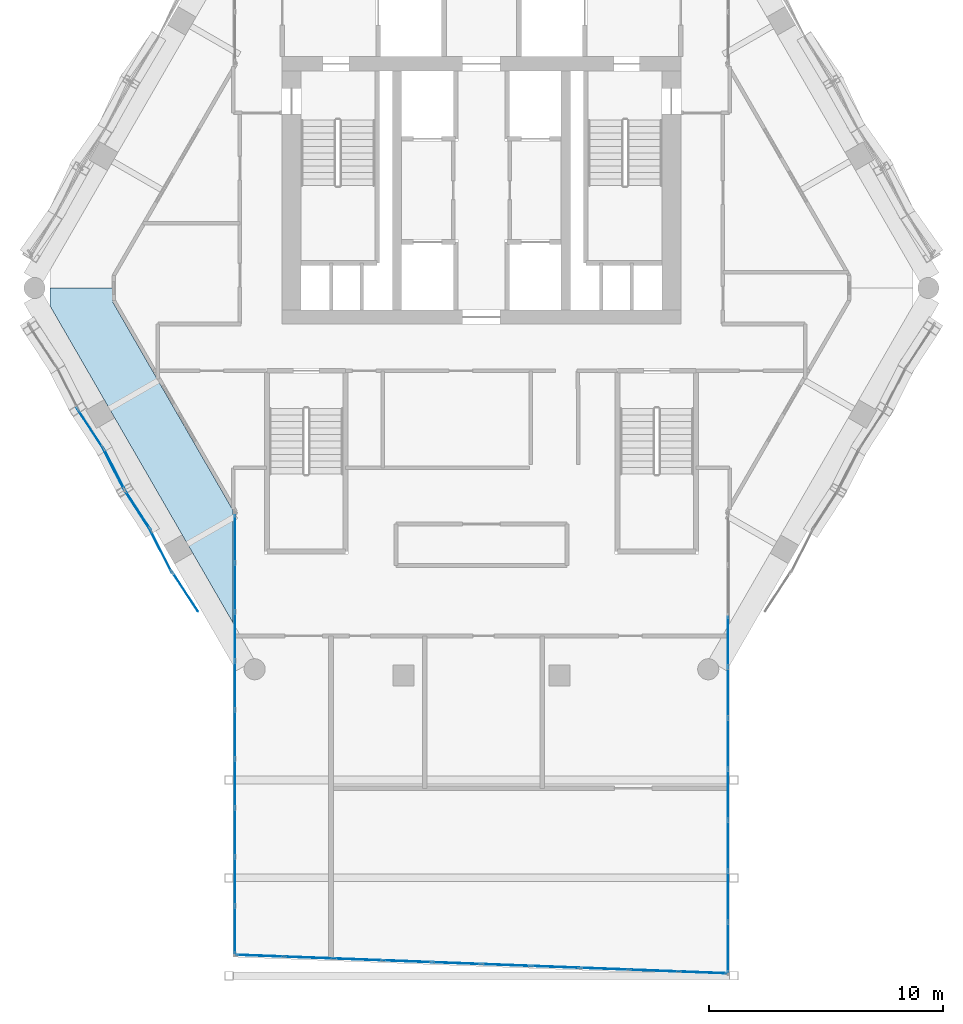
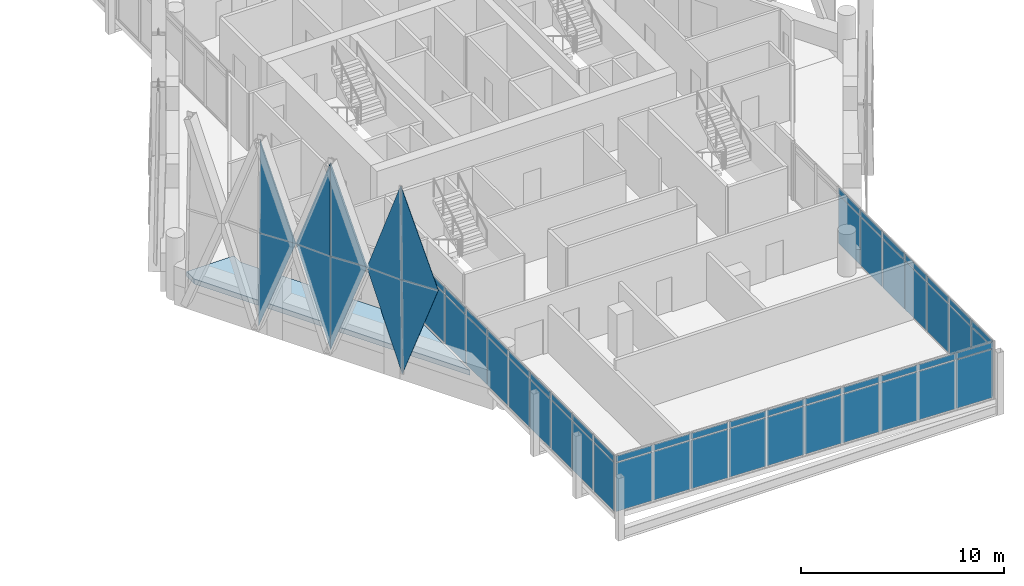
# One storey, part 25 of 37: 62 plates, 1 slab, 7 elements without a shape of their own.
"""IFC4 building model written with IfcOpenShell, lengths in metres."""

from ifc_helpers import new_model, si_unit, direction, frame, origin, origin_2d, place, context, subcontext, project, spatial, polyline, rectangle, outline, extrude, material, layer, layer_set, type_object, element, aggregate, save


model = new_model("IFC4")

# Units and contexts
model_context = context("Model", 3, precision=1e-05, world=origin(), true_north=direction((0.0, 1.0)))
body_context = subcontext(model_context, "Body", "Model", "MODEL_VIEW")
ifc_project = project(units=[si_unit("LENGTHUNIT", "METRE"), si_unit("AREAUNIT", "SQUARE_METRE"), si_unit("VOLUMEUNIT", "CUBIC_METRE"), si_unit("PLANEANGLEUNIT", "RADIAN"), si_unit("MASSUNIT", "GRAM", prefix="KILO")], contexts=[model_context])

# Site, building, storey
site_placement = place(None, origin())
site = spatial("IfcSite", under=ifc_project, at=site_placement, CompositionType="ELEMENT")
building_placement = place(site_placement, origin())
building = spatial("IfcBuilding", under=site, at=building_placement, Name="Ostrander Bayou Hotel Tower", CompositionType="ELEMENT")
storey_placement = place(building_placement, frame((0.0, 0.0, 225.75)))
storey = spatial("IfcBuildingStorey", under=building, at=storey_placement, Name="L56", CompositionType="ELEMENT", Elevation=225.75)

# Curtain wall, plates
ifc_material_1 = material(Name="Aluminium and clear glass", Category="aluminium")
curtain_wall_type_1 = type_object("IfcCurtainWallType", Name="CW-BAR glazed wall", PredefinedType="NOTDEFINED", material=ifc_material_1)
curtain_wall_1_placement = place(storey_placement, origin())
curtain_wall_1 = element("IfcCurtainWall", 1, at=curtain_wall_1_placement, inside=storey, type_object=curtain_wall_type_1, Name="CW-BAR L56:SB5S:E", PredefinedType="NOTDEFINED")
ifc_material_2 = material(Name="Clear laminated glass", Category="glass")
ifc_layer_1 = layer(ifc_material_2, 0.028076171875)
ifc_layer_set_1 = layer_set([ifc_layer_1], Name="CW-BR glazing panel 28 mm")
plate_type_1 = type_object("IfcPlateType", Name="CW-BR glazing panel 28 mm", PredefinedType="CURTAIN_PANEL", material=ifc_layer_set_1)
plate_1_placement = place(storey_placement, frame((-10.51220703125, -10.852294921875, 0.06005859375), z_axis=(0.0, 0.0, 1.0), x_axis=(0.0, -1.0, 0.0)))
plate_1 = element("IfcPlate", 2, at=plate_1_placement, type_object=plate_type_1, Name="CW-BAR panel 1.1", PredefinedType="CURTAIN_PANEL", context=body_context, shape_type="SweptSolid", body=[
    extrude(rectangle(XDim=2.0, YDim=0.028076171875, at=origin_2d()), origin(), (0.0, 0.0, 1.0), 2.909912109375),
])
plate_2_placement = place(storey_placement, frame((-10.51220703125, -10.852294921875, 3.02978515625), z_axis=(0.0, 0.0, 1.0), x_axis=(0.0, -1.0, 0.0)))
plate_2 = element("IfcPlate", 3, at=plate_2_placement, type_object=plate_type_1, Name="CW-BAR panel 1.2", PredefinedType="CURTAIN_PANEL", context=body_context, shape_type="SweptSolid", body=[
    extrude(rectangle(XDim=2.0, YDim=0.028076171875, at=origin_2d()), origin(), (0.0, 0.0, 1.0), 0.360107421875),
])
plate_3_placement = place(storey_placement, frame((-10.51220703125, -12.927490234375, 0.06005859375), z_axis=(0.0, 0.0, 1.0), x_axis=(0.0, -1.0, 0.0)))
plate_3 = element("IfcPlate", 4, at=plate_3_placement, type_object=plate_type_1, Name="CW-BAR panel 2.1", PredefinedType="CURTAIN_PANEL", context=body_context, shape_type="SweptSolid", body=[
    extrude(rectangle(XDim=2.030029296875, YDim=0.028076171875, at=origin_2d()), origin(), (0.0, 0.0, 1.0), 2.909912109375),
])
plate_4_placement = place(storey_placement, frame((-10.51220703125, -12.927490234375, 3.02978515625), z_axis=(0.0, 0.0, 1.0), x_axis=(0.0, -1.0, 0.0)))
plate_4 = element("IfcPlate", 5, at=plate_4_placement, type_object=plate_type_1, Name="CW-BAR panel 2.2", PredefinedType="CURTAIN_PANEL", context=body_context, shape_type="SweptSolid", body=[
    extrude(rectangle(XDim=2.030029296875, YDim=0.028076171875, at=origin_2d()), origin(), (0.0, 0.0, 1.0), 0.360107421875),
])
plate_5_placement = place(storey_placement, frame((-10.51220703125, -15.017333984375, 0.06005859375), z_axis=(0.0, 0.0, 1.0), x_axis=(0.0, -1.0, 0.0)))
plate_5 = element("IfcPlate", 6, at=plate_5_placement, type_object=plate_type_1, Name="CW-BAR panel 3.1", PredefinedType="CURTAIN_PANEL", context=body_context, shape_type="SweptSolid", body=[
    extrude(rectangle(XDim=2.030029296875, YDim=0.028076171875, at=origin_2d()), origin(), (0.0, 0.0, 1.0), 2.909912109375),
])
plate_6_placement = place(storey_placement, frame((-10.51220703125, -15.017333984375, 3.02978515625), z_axis=(0.0, 0.0, 1.0), x_axis=(0.0, -1.0, 0.0)))
plate_6 = element("IfcPlate", 7, at=plate_6_placement, type_object=plate_type_1, Name="CW-BAR panel 3.2", PredefinedType="CURTAIN_PANEL", context=body_context, shape_type="SweptSolid", body=[
    extrude(rectangle(XDim=2.030029296875, YDim=0.028076171875, at=origin_2d()), origin(), (0.0, 0.0, 1.0), 0.360107421875),
])
plate_7_placement = place(storey_placement, frame((-10.51220703125, -17.107421875, 0.06005859375), z_axis=(0.0, 0.0, 1.0), x_axis=(0.0, -1.0, 0.0)))
plate_7 = element("IfcPlate", 8, at=plate_7_placement, type_object=plate_type_1, Name="CW-BAR panel 4.1", PredefinedType="CURTAIN_PANEL", context=body_context, shape_type="SweptSolid", body=[
    extrude(rectangle(XDim=2.030029296875, YDim=0.028076171875, at=origin_2d()), origin(), (0.0, 0.0, 1.0), 2.909912109375),
])
plate_8_placement = place(storey_placement, frame((-10.51220703125, -17.107421875, 3.02978515625), z_axis=(0.0, 0.0, 1.0), x_axis=(0.0, -1.0, 0.0)))
plate_8 = element("IfcPlate", 9, at=plate_8_placement, type_object=plate_type_1, Name="CW-BAR panel 4.2", PredefinedType="CURTAIN_PANEL", context=body_context, shape_type="SweptSolid", body=[
    extrude(rectangle(XDim=2.030029296875, YDim=0.028076171875, at=origin_2d()), origin(), (0.0, 0.0, 1.0), 0.360107421875),
])
plate_9_placement = place(storey_placement, frame((-10.51220703125, -19.197509765625, 0.06005859375), z_axis=(0.0, 0.0, 1.0), x_axis=(0.0, -1.0, 0.0)))
plate_9 = element("IfcPlate", 10, at=plate_9_placement, type_object=plate_type_1, Name="CW-BAR panel 5.1", PredefinedType="CURTAIN_PANEL", context=body_context, shape_type="SweptSolid", body=[
    extrude(rectangle(XDim=2.030029296875, YDim=0.028076171875, at=origin_2d()), origin(), (0.0, 0.0, 1.0), 2.909912109375),
])
plate_10_placement = place(storey_placement, frame((-10.51220703125, -19.197509765625, 3.02978515625), z_axis=(0.0, 0.0, 1.0), x_axis=(0.0, -1.0, 0.0)))
plate_10 = element("IfcPlate", 11, at=plate_10_placement, type_object=plate_type_1, Name="CW-BAR panel 5.2", PredefinedType="CURTAIN_PANEL", context=body_context, shape_type="SweptSolid", body=[
    extrude(rectangle(XDim=2.030029296875, YDim=0.028076171875, at=origin_2d()), origin(), (0.0, 0.0, 1.0), 0.360107421875),
])
plate_11_placement = place(storey_placement, frame((-10.51220703125, -21.28759765625, 0.06005859375), z_axis=(0.0, 0.0, 1.0), x_axis=(0.0, -1.0, 0.0)))
plate_11 = element("IfcPlate", 12, at=plate_11_placement, type_object=plate_type_1, Name="CW-BAR panel 6.1", PredefinedType="CURTAIN_PANEL", context=body_context, shape_type="SweptSolid", body=[
    extrude(rectangle(XDim=2.030029296875, YDim=0.028076171875, at=origin_2d()), origin(), (0.0, 0.0, 1.0), 2.909912109375),
])
plate_12_placement = place(storey_placement, frame((-10.51220703125, -21.28759765625, 3.02978515625), z_axis=(0.0, 0.0, 1.0), x_axis=(0.0, -1.0, 0.0)))
plate_12 = element("IfcPlate", 13, at=plate_12_placement, type_object=plate_type_1, Name="CW-BAR panel 6.2", PredefinedType="CURTAIN_PANEL", context=body_context, shape_type="SweptSolid", body=[
    extrude(rectangle(XDim=2.030029296875, YDim=0.028076171875, at=origin_2d()), origin(), (0.0, 0.0, 1.0), 0.360107421875),
])
plate_13_placement = place(storey_placement, frame((-10.51220703125, -23.377685546875, 0.06005859375), z_axis=(0.0, 0.0, 1.0), x_axis=(0.0, -1.0, 0.0)))
plate_13 = element("IfcPlate", 14, at=plate_13_placement, type_object=plate_type_1, Name="CW-BAR panel 7.1", PredefinedType="CURTAIN_PANEL", context=body_context, shape_type="SweptSolid", body=[
    extrude(rectangle(XDim=2.030029296875, YDim=0.028076171875, at=origin_2d()), origin(), (0.0, 0.0, 1.0), 2.909912109375),
])
plate_14_placement = place(storey_placement, frame((-10.51220703125, -23.377685546875, 3.02978515625), z_axis=(0.0, 0.0, 1.0), x_axis=(0.0, -1.0, 0.0)))
plate_14 = element("IfcPlate", 15, at=plate_14_placement, type_object=plate_type_1, Name="CW-BAR panel 7.2", PredefinedType="CURTAIN_PANEL", context=body_context, shape_type="SweptSolid", body=[
    extrude(rectangle(XDim=2.030029296875, YDim=0.028076171875, at=origin_2d()), origin(), (0.0, 0.0, 1.0), 0.360107421875),
])
plate_15_placement = place(storey_placement, frame((-10.51220703125, -25.4677734375, 0.06005859375), z_axis=(0.0, 0.0, 1.0), x_axis=(0.0, -1.0, 0.0)))
plate_15 = element("IfcPlate", 16, at=plate_15_placement, type_object=plate_type_1, Name="CW-BAR panel 8.1", PredefinedType="CURTAIN_PANEL", context=body_context, shape_type="SweptSolid", body=[
    extrude(rectangle(XDim=2.030029296875, YDim=0.028076171875, at=origin_2d()), origin(), (0.0, 0.0, 1.0), 2.909912109375),
])
plate_16_placement = place(storey_placement, frame((-10.51220703125, -25.4677734375, 3.02978515625), z_axis=(0.0, 0.0, 1.0), x_axis=(0.0, -1.0, 0.0)))
plate_16 = element("IfcPlate", 17, at=plate_16_placement, type_object=plate_type_1, Name="CW-BAR panel 8.2", PredefinedType="CURTAIN_PANEL", context=body_context, shape_type="SweptSolid", body=[
    extrude(rectangle(XDim=2.030029296875, YDim=0.028076171875, at=origin_2d()), origin(), (0.0, 0.0, 1.0), 0.360107421875),
])
plate_17_placement = place(storey_placement, frame((-10.51220703125, -27.542724609375, 0.06005859375), z_axis=(0.0, 0.0, 1.0), x_axis=(0.0, -1.0, 0.0)))
plate_17 = element("IfcPlate", 18, at=plate_17_placement, type_object=plate_type_1, Name="CW-BAR panel 9.1", PredefinedType="CURTAIN_PANEL", context=body_context, shape_type="SweptSolid", body=[
    extrude(rectangle(XDim=2.0, YDim=0.028076171875, at=origin_2d()), origin(), (0.0, 0.0, 1.0), 2.909912109375),
])
plate_18_placement = place(storey_placement, frame((-10.51220703125, -27.542724609375, 3.02978515625), z_axis=(0.0, 0.0, 1.0), x_axis=(0.0, -1.0, 0.0)))
plate_18 = element("IfcPlate", 19, at=plate_18_placement, type_object=plate_type_1, Name="CW-BAR panel 9.2", PredefinedType="CURTAIN_PANEL", context=body_context, shape_type="SweptSolid", body=[
    extrude(rectangle(XDim=2.0, YDim=0.028076171875, at=origin_2d()), origin(), (0.0, 0.0, 1.0), 0.360107421875),
])
aggregate(curtain_wall_1, [plate_1, plate_2, plate_3, plate_4, plate_5, plate_6, plate_7, plate_8, plate_9, plate_10, plate_11, plate_12, plate_13, plate_14, plate_15, plate_16, plate_17, plate_18])

curtain_wall_2_placement = place(storey_placement, origin())
curtain_wall_2 = element("IfcCurtainWall", 20, at=curtain_wall_2_placement, inside=storey, type_object=curtain_wall_type_1, Name="CW-BAR L56:SB5S:T", PredefinedType="NOTDEFINED")
plate_19_placement = place(storey_placement, frame((-9.446044921875, -28.64306640625, 0.06005859375), z_axis=(0.0, 0.0, 1.0), x_axis=(0.99928692283, -0.037757725854, 0.0)))
plate_19 = element("IfcPlate", 21, at=plate_19_placement, type_object=plate_type_1, Name="CW-BAR panel 1.1", PredefinedType="CURTAIN_PANEL", context=body_context, shape_type="SweptSolid", body=[
    extrude(rectangle(XDim=2.013916015625, YDim=0.028076171875, at=origin_2d()), origin(), (0.0, 0.0, 1.0), 2.909912109375),
])
plate_20_placement = place(storey_placement, frame((-9.446044921875, -28.64306640625, 3.02978515625), z_axis=(0.0, 0.0, 1.0), x_axis=(0.99928692283, -0.037757725854, 0.0)))
plate_20 = element("IfcPlate", 22, at=plate_20_placement, type_object=plate_type_1, Name="CW-BAR panel 1.2", PredefinedType="CURTAIN_PANEL", context=body_context, shape_type="SweptSolid", body=[
    extrude(rectangle(XDim=2.013916015625, YDim=0.028076171875, at=origin_2d()), origin(), (0.0, 0.0, 1.0), 0.360107421875),
])
plate_21_placement = place(storey_placement, frame((-7.358642578125, -28.721923828125, 0.06005859375), z_axis=(0.0, 0.0, 1.0), x_axis=(0.99928692283, -0.037757725854, 0.0)))
plate_21 = element("IfcPlate", 23, at=plate_21_placement, type_object=plate_type_1, Name="CW-BAR panel 2.1", PredefinedType="CURTAIN_PANEL", context=body_context, shape_type="SweptSolid", body=[
    extrude(rectangle(XDim=2.0439453125, YDim=0.028076171875, at=origin_2d()), origin(), (0.0, 0.0, 1.0), 2.909912109375),
])
plate_22_placement = place(storey_placement, frame((-7.358642578125, -28.721923828125, 3.02978515625), z_axis=(0.0, 0.0, 1.0), x_axis=(0.99928692283, -0.037757725854, 0.0)))
plate_22 = element("IfcPlate", 24, at=plate_22_placement, type_object=plate_type_1, Name="CW-BAR panel 2.2", PredefinedType="CURTAIN_PANEL", context=body_context, shape_type="SweptSolid", body=[
    extrude(rectangle(XDim=2.0439453125, YDim=0.028076171875, at=origin_2d()), origin(), (0.0, 0.0, 1.0), 0.360107421875),
])
plate_23_placement = place(storey_placement, frame((-5.256103515625, -28.801513671875, 0.06005859375), z_axis=(0.0, 0.0, 1.0), x_axis=(0.99928692283, -0.037757725854, 0.0)))
plate_23 = element("IfcPlate", 25, at=plate_23_placement, type_object=plate_type_1, Name="CW-BAR panel 3.1", PredefinedType="CURTAIN_PANEL", context=body_context, shape_type="SweptSolid", body=[
    extrude(rectangle(XDim=2.0439453125, YDim=0.028076171875, at=origin_2d()), origin(), (0.0, 0.0, 1.0), 2.909912109375),
])
plate_24_placement = place(storey_placement, frame((-5.256103515625, -28.801513671875, 3.02978515625), z_axis=(0.0, 0.0, 1.0), x_axis=(0.99928692283, -0.037757725854, 0.0)))
plate_24 = element("IfcPlate", 26, at=plate_24_placement, type_object=plate_type_1, Name="CW-BAR panel 3.2", PredefinedType="CURTAIN_PANEL", context=body_context, shape_type="SweptSolid", body=[
    extrude(rectangle(XDim=2.0439453125, YDim=0.028076171875, at=origin_2d()), origin(), (0.0, 0.0, 1.0), 0.360107421875),
])
plate_25_placement = place(storey_placement, frame((-3.153564453125, -28.880859375, 0.06005859375), z_axis=(0.0, 0.0, 1.0), x_axis=(0.99928692283, -0.037757725854, 0.0)))
plate_25 = element("IfcPlate", 27, at=plate_25_placement, type_object=plate_type_1, Name="CW-BAR panel 4.1", PredefinedType="CURTAIN_PANEL", context=body_context, shape_type="SweptSolid", body=[
    extrude(rectangle(XDim=2.0439453125, YDim=0.028076171875, at=origin_2d()), origin(), (0.0, 0.0, 1.0), 2.909912109375),
])
plate_26_placement = place(storey_placement, frame((-3.153564453125, -28.880859375, 3.02978515625), z_axis=(0.0, 0.0, 1.0), x_axis=(0.99928692283, -0.037757725854, 0.0)))
plate_26 = element("IfcPlate", 28, at=plate_26_placement, type_object=plate_type_1, Name="CW-BAR panel 4.2", PredefinedType="CURTAIN_PANEL", context=body_context, shape_type="SweptSolid", body=[
    extrude(rectangle(XDim=2.0439453125, YDim=0.028076171875, at=origin_2d()), origin(), (0.0, 0.0, 1.0), 0.360107421875),
])
plate_27_placement = place(storey_placement, frame((-1.05126953125, -28.960205078125, 0.06005859375), z_axis=(0.0, 0.0, 1.0), x_axis=(0.99928692283, -0.037757725854, 0.0)))
plate_27 = element("IfcPlate", 29, at=plate_27_placement, type_object=plate_type_1, Name="CW-BAR panel 5.1", PredefinedType="CURTAIN_PANEL", context=body_context, shape_type="SweptSolid", body=[
    extrude(rectangle(XDim=2.0439453125, YDim=0.028076171875, at=origin_2d()), origin(), (0.0, 0.0, 1.0), 2.909912109375),
])
plate_28_placement = place(storey_placement, frame((-1.05126953125, -28.960205078125, 3.02978515625), z_axis=(0.0, 0.0, 1.0), x_axis=(0.99928692283, -0.037757725854, 0.0)))
plate_28 = element("IfcPlate", 30, at=plate_28_placement, type_object=plate_type_1, Name="CW-BAR panel 5.2", PredefinedType="CURTAIN_PANEL", context=body_context, shape_type="SweptSolid", body=[
    extrude(rectangle(XDim=2.0439453125, YDim=0.028076171875, at=origin_2d()), origin(), (0.0, 0.0, 1.0), 0.360107421875),
])
plate_29_placement = place(storey_placement, frame((1.05126953125, -29.039794921875, 0.06005859375), z_axis=(0.0, 0.0, 1.0), x_axis=(0.99928692283, -0.037757725854, 0.0)))
plate_29 = element("IfcPlate", 31, at=plate_29_placement, type_object=plate_type_1, Name="CW-BAR panel 6.1", PredefinedType="CURTAIN_PANEL", context=body_context, shape_type="SweptSolid", body=[
    extrude(rectangle(XDim=2.0439453125, YDim=0.028076171875, at=origin_2d()), origin(), (0.0, 0.0, 1.0), 2.909912109375),
])
plate_30_placement = place(storey_placement, frame((1.05126953125, -29.039794921875, 3.02978515625), z_axis=(0.0, 0.0, 1.0), x_axis=(0.99928692283, -0.037757725854, 0.0)))
plate_30 = element("IfcPlate", 32, at=plate_30_placement, type_object=plate_type_1, Name="CW-BAR panel 6.2", PredefinedType="CURTAIN_PANEL", context=body_context, shape_type="SweptSolid", body=[
    extrude(rectangle(XDim=2.0439453125, YDim=0.028076171875, at=origin_2d()), origin(), (0.0, 0.0, 1.0), 0.360107421875),
])
plate_31_placement = place(storey_placement, frame((3.153564453125, -29.119140625, 0.06005859375), z_axis=(0.0, 0.0, 1.0), x_axis=(0.99928692283, -0.037757725854, 0.0)))
plate_31 = element("IfcPlate", 33, at=plate_31_placement, type_object=plate_type_1, Name="CW-BAR panel 7.1", PredefinedType="CURTAIN_PANEL", context=body_context, shape_type="SweptSolid", body=[
    extrude(rectangle(XDim=2.0439453125, YDim=0.028076171875, at=origin_2d()), origin(), (0.0, 0.0, 1.0), 2.909912109375),
])
plate_32_placement = place(storey_placement, frame((3.153564453125, -29.119140625, 3.02978515625), z_axis=(0.0, 0.0, 1.0), x_axis=(0.99928692283, -0.037757725854, 0.0)))
plate_32 = element("IfcPlate", 34, at=plate_32_placement, type_object=plate_type_1, Name="CW-BAR panel 7.2", PredefinedType="CURTAIN_PANEL", context=body_context, shape_type="SweptSolid", body=[
    extrude(rectangle(XDim=2.0439453125, YDim=0.028076171875, at=origin_2d()), origin(), (0.0, 0.0, 1.0), 0.360107421875),
])
plate_33_placement = place(storey_placement, frame((5.256103515625, -29.198486328125, 0.06005859375), z_axis=(0.0, 0.0, 1.0), x_axis=(0.99928692283, -0.037757725854, 0.0)))
plate_33 = element("IfcPlate", 35, at=plate_33_placement, type_object=plate_type_1, Name="CW-BAR panel 8.1", PredefinedType="CURTAIN_PANEL", context=body_context, shape_type="SweptSolid", body=[
    extrude(rectangle(XDim=2.0439453125, YDim=0.028076171875, at=origin_2d()), origin(), (0.0, 0.0, 1.0), 2.909912109375),
])
plate_34_placement = place(storey_placement, frame((5.256103515625, -29.198486328125, 3.02978515625), z_axis=(0.0, 0.0, 1.0), x_axis=(0.99928692283, -0.037757725854, 0.0)))
plate_34 = element("IfcPlate", 36, at=plate_34_placement, type_object=plate_type_1, Name="CW-BAR panel 8.2", PredefinedType="CURTAIN_PANEL", context=body_context, shape_type="SweptSolid", body=[
    extrude(rectangle(XDim=2.0439453125, YDim=0.028076171875, at=origin_2d()), origin(), (0.0, 0.0, 1.0), 0.360107421875),
])
plate_35_placement = place(storey_placement, frame((7.358642578125, -29.278076171875, 0.06005859375), z_axis=(0.0, 0.0, 1.0), x_axis=(0.99928692283, -0.037757725854, 0.0)))
plate_35 = element("IfcPlate", 37, at=plate_35_placement, type_object=plate_type_1, Name="CW-BAR panel 9.1", PredefinedType="CURTAIN_PANEL", context=body_context, shape_type="SweptSolid", body=[
    extrude(rectangle(XDim=2.0439453125, YDim=0.028076171875, at=origin_2d()), origin(), (0.0, 0.0, 1.0), 2.909912109375),
])
plate_36_placement = place(storey_placement, frame((7.358642578125, -29.278076171875, 3.02978515625), z_axis=(0.0, 0.0, 1.0), x_axis=(0.99928692283, -0.037757725854, 0.0)))
plate_36 = element("IfcPlate", 38, at=plate_36_placement, type_object=plate_type_1, Name="CW-BAR panel 9.2", PredefinedType="CURTAIN_PANEL", context=body_context, shape_type="SweptSolid", body=[
    extrude(rectangle(XDim=2.0439453125, YDim=0.028076171875, at=origin_2d()), origin(), (0.0, 0.0, 1.0), 0.360107421875),
])
plate_37_placement = place(storey_placement, frame((9.446044921875, -29.35693359375, 0.06005859375), z_axis=(0.0, 0.0, 1.0), x_axis=(0.99928692283, -0.037757725854, 0.0)))
plate_37 = element("IfcPlate", 39, at=plate_37_placement, type_object=plate_type_1, Name="CW-BAR panel 10.1", PredefinedType="CURTAIN_PANEL", context=body_context, shape_type="SweptSolid", body=[
    extrude(rectangle(XDim=2.013916015625, YDim=0.028076171875, at=origin_2d()), origin(), (0.0, 0.0, 1.0), 2.909912109375),
])
plate_38_placement = place(storey_placement, frame((9.446044921875, -29.35693359375, 3.02978515625), z_axis=(0.0, 0.0, 1.0), x_axis=(0.99928692283, -0.037757725854, 0.0)))
plate_38 = element("IfcPlate", 40, at=plate_38_placement, type_object=plate_type_1, Name="CW-BAR panel 10.2", PredefinedType="CURTAIN_PANEL", context=body_context, shape_type="SweptSolid", body=[
    extrude(rectangle(XDim=2.013916015625, YDim=0.028076171875, at=origin_2d()), origin(), (0.0, 0.0, 1.0), 0.360107421875),
])
aggregate(curtain_wall_2, [plate_19, plate_20, plate_21, plate_22, plate_23, plate_24, plate_25, plate_26, plate_27, plate_28, plate_29, plate_30, plate_31, plate_32, plate_33, plate_34, plate_35, plate_36, plate_37, plate_38])

curtain_wall_3_placement = place(storey_placement, origin())
curtain_wall_3 = element("IfcCurtainWall", 41, at=curtain_wall_3_placement, inside=storey, type_object=curtain_wall_type_1, Name="CW-BAR L56:SB5S:W", PredefinedType="NOTDEFINED")
plate_39_placement = place(storey_placement, frame((10.51220703125, -15.238037109375, 0.06005859375), z_axis=(0.0, 0.0, 1.0), x_axis=(0.0, -1.0, 0.0)))
plate_39 = element("IfcPlate", 42, at=plate_39_placement, type_object=plate_type_1, Name="CW-BAR panel 3.1", PredefinedType="CURTAIN_PANEL", context=body_context, shape_type="SweptSolid", body=[
    extrude(rectangle(XDim=2.118408203125, YDim=0.028076171875, at=origin_2d()), origin(), (0.0, 0.0, 1.0), 2.909912109375),
])
plate_40_placement = place(storey_placement, frame((10.51220703125, -15.238037109375, 3.02978515625), z_axis=(0.0, 0.0, 1.0), x_axis=(0.0, -1.0, 0.0)))
plate_40 = element("IfcPlate", 43, at=plate_40_placement, type_object=plate_type_1, Name="CW-BAR panel 3.2", PredefinedType="CURTAIN_PANEL", context=body_context, shape_type="SweptSolid", body=[
    extrude(rectangle(XDim=2.118408203125, YDim=0.028076171875, at=origin_2d()), origin(), (0.0, 0.0, 1.0), 0.360107421875),
])
plate_41_placement = place(storey_placement, frame((10.51220703125, -17.41650390625, 0.06005859375), z_axis=(0.0, 0.0, 1.0), x_axis=(0.0, -1.0, 0.0)))
plate_41 = element("IfcPlate", 44, at=plate_41_placement, type_object=plate_type_1, Name="CW-BAR panel 4.1", PredefinedType="CURTAIN_PANEL", context=body_context, shape_type="SweptSolid", body=[
    extrude(rectangle(XDim=2.118408203125, YDim=0.028076171875, at=origin_2d()), origin(), (0.0, 0.0, 1.0), 2.909912109375),
])
plate_42_placement = place(storey_placement, frame((10.51220703125, -17.41650390625, 3.02978515625), z_axis=(0.0, 0.0, 1.0), x_axis=(0.0, -1.0, 0.0)))
plate_42 = element("IfcPlate", 45, at=plate_42_placement, type_object=plate_type_1, Name="CW-BAR panel 4.2", PredefinedType="CURTAIN_PANEL", context=body_context, shape_type="SweptSolid", body=[
    extrude(rectangle(XDim=2.118408203125, YDim=0.028076171875, at=origin_2d()), origin(), (0.0, 0.0, 1.0), 0.360107421875),
])
plate_43_placement = place(storey_placement, frame((10.51220703125, -19.5947265625, 0.06005859375), z_axis=(0.0, 0.0, 1.0), x_axis=(0.0, -1.0, 0.0)))
plate_43 = element("IfcPlate", 46, at=plate_43_placement, type_object=plate_type_1, Name="CW-BAR panel 5.1", PredefinedType="CURTAIN_PANEL", context=body_context, shape_type="SweptSolid", body=[
    extrude(rectangle(XDim=2.118408203125, YDim=0.028076171875, at=origin_2d()), origin(), (0.0, 0.0, 1.0), 2.909912109375),
])
plate_44_placement = place(storey_placement, frame((10.51220703125, -19.5947265625, 3.02978515625), z_axis=(0.0, 0.0, 1.0), x_axis=(0.0, -1.0, 0.0)))
plate_44 = element("IfcPlate", 47, at=plate_44_placement, type_object=plate_type_1, Name="CW-BAR panel 5.2", PredefinedType="CURTAIN_PANEL", context=body_context, shape_type="SweptSolid", body=[
    extrude(rectangle(XDim=2.118408203125, YDim=0.028076171875, at=origin_2d()), origin(), (0.0, 0.0, 1.0), 0.360107421875),
])
plate_45_placement = place(storey_placement, frame((10.51220703125, -21.773193359375, 0.06005859375), z_axis=(0.0, 0.0, 1.0), x_axis=(0.0, -1.0, 0.0)))
plate_45 = element("IfcPlate", 48, at=plate_45_placement, type_object=plate_type_1, Name="CW-BAR panel 6.1", PredefinedType="CURTAIN_PANEL", context=body_context, shape_type="SweptSolid", body=[
    extrude(rectangle(XDim=2.118408203125, YDim=0.028076171875, at=origin_2d()), origin(), (0.0, 0.0, 1.0), 2.909912109375),
])
plate_46_placement = place(storey_placement, frame((10.51220703125, -21.773193359375, 3.02978515625), z_axis=(0.0, 0.0, 1.0), x_axis=(0.0, -1.0, 0.0)))
plate_46 = element("IfcPlate", 49, at=plate_46_placement, type_object=plate_type_1, Name="CW-BAR panel 6.2", PredefinedType="CURTAIN_PANEL", context=body_context, shape_type="SweptSolid", body=[
    extrude(rectangle(XDim=2.118408203125, YDim=0.028076171875, at=origin_2d()), origin(), (0.0, 0.0, 1.0), 0.360107421875),
])
plate_47_placement = place(storey_placement, frame((10.51220703125, -23.951416015625, 0.06005859375), z_axis=(0.0, 0.0, 1.0), x_axis=(0.0, -1.0, 0.0)))
plate_47 = element("IfcPlate", 50, at=plate_47_placement, type_object=plate_type_1, Name="CW-BAR panel 7.1", PredefinedType="CURTAIN_PANEL", context=body_context, shape_type="SweptSolid", body=[
    extrude(rectangle(XDim=2.118408203125, YDim=0.028076171875, at=origin_2d()), origin(), (0.0, 0.0, 1.0), 2.909912109375),
])
plate_48_placement = place(storey_placement, frame((10.51220703125, -23.951416015625, 3.02978515625), z_axis=(0.0, 0.0, 1.0), x_axis=(0.0, -1.0, 0.0)))
plate_48 = element("IfcPlate", 51, at=plate_48_placement, type_object=plate_type_1, Name="CW-BAR panel 7.2", PredefinedType="CURTAIN_PANEL", context=body_context, shape_type="SweptSolid", body=[
    extrude(rectangle(XDim=2.118408203125, YDim=0.028076171875, at=origin_2d()), origin(), (0.0, 0.0, 1.0), 0.360107421875),
])
plate_49_placement = place(storey_placement, frame((10.51220703125, -26.129638671875, 0.06005859375), z_axis=(0.0, 0.0, 1.0), x_axis=(0.0, -1.0, 0.0)))
plate_49 = element("IfcPlate", 52, at=plate_49_placement, type_object=plate_type_1, Name="CW-BAR panel 8.1", PredefinedType="CURTAIN_PANEL", context=body_context, shape_type="SweptSolid", body=[
    extrude(rectangle(XDim=2.118408203125, YDim=0.028076171875, at=origin_2d()), origin(), (0.0, 0.0, 1.0), 2.909912109375),
])
plate_50_placement = place(storey_placement, frame((10.51220703125, -26.129638671875, 3.02978515625), z_axis=(0.0, 0.0, 1.0), x_axis=(0.0, -1.0, 0.0)))
plate_50 = element("IfcPlate", 53, at=plate_50_placement, type_object=plate_type_1, Name="CW-BAR panel 8.2", PredefinedType="CURTAIN_PANEL", context=body_context, shape_type="SweptSolid", body=[
    extrude(rectangle(XDim=2.118408203125, YDim=0.028076171875, at=origin_2d()), origin(), (0.0, 0.0, 1.0), 0.360107421875),
])
plate_51_placement = place(storey_placement, frame((10.51220703125, -28.29296875, 0.06005859375), z_axis=(0.0, 0.0, 1.0), x_axis=(0.0, -1.0, 0.0)))
plate_51 = element("IfcPlate", 54, at=plate_51_placement, type_object=plate_type_1, Name="CW-BAR panel 9.1", PredefinedType="CURTAIN_PANEL", context=body_context, shape_type="SweptSolid", body=[
    extrude(rectangle(XDim=2.08837890625, YDim=0.028076171875, at=origin_2d()), origin(), (0.0, 0.0, 1.0), 2.909912109375),
])
plate_52_placement = place(storey_placement, frame((10.51220703125, -28.29296875, 3.02978515625), z_axis=(0.0, 0.0, 1.0), x_axis=(0.0, -1.0, 0.0)))
plate_52 = element("IfcPlate", 55, at=plate_52_placement, type_object=plate_type_1, Name="CW-BAR panel 9.2", PredefinedType="CURTAIN_PANEL", context=body_context, shape_type="SweptSolid", body=[
    extrude(rectangle(XDim=2.08837890625, YDim=0.028076171875, at=origin_2d()), origin(), (0.0, 0.0, 1.0), 0.360107421875),
])
aggregate(curtain_wall_3, [plate_39, plate_40, plate_41, plate_42, plate_43, plate_44, plate_45, plate_46, plate_47, plate_48, plate_49, plate_50, plate_51, plate_52])

# Curtain wall, plate
ifc_material_3 = material(Name="Aluminium and clear glass", Category="aluminium")
curtain_wall_type_2 = type_object("IfcCurtainWallType", Name="CW-LAT lattice glazing", PredefinedType="NOTDEFINED", material=ifc_material_3)
curtain_wall_4_placement = place(storey_placement, origin())
curtain_wall_4 = element("IfcCurtainWall", 56, at=curtain_wall_4_placement, inside=storey, type_object=curtain_wall_type_2, Name="CW-LAT L56 SW 3", PredefinedType="NOTDEFINED")
ifc_material_4 = material(Name="Clear laminated glass", Category="glass")
ifc_layer_2 = layer(ifc_material_4, 0.028076171875)
ifc_layer_set_2 = layer_set([ifc_layer_2], Name="CW-LA glazing panel 28 mm")
plate_type_2 = type_object("IfcPlateType", Name="CW-LA glazing panel 28 mm", PredefinedType="CURTAIN_PANEL", material=ifc_layer_set_2)
plate_53_placement = place(storey_placement, frame((-16.132080078125, -6.984619140625, 5.02490234375), z_axis=(0.838335834952, 0.545153950046, 0.000445628803), x_axis=(-0.187721345598, 0.289444479269, -0.93860672799)))
plate_53 = element("IfcPlate", 57, at=plate_53_placement, type_object=plate_type_2, Name="CW-LAT panel 5", PredefinedType="CURTAIN_PANEL", context=body_context, shape_type="SweptSolid", body=[
    extrude(outline(polyline([(0.0, 0.0), (5.992925292628185, 0.0), (0.6969451520224259, 1.8961704701598532), (0.0, 0.0)])), origin(), (0.0, 0.0, -1.0), 0.028076171875),
])

curtain_wall_5_placement = place(storey_placement, origin())
curtain_wall_5 = element("IfcCurtainWall", 58, at=curtain_wall_5_placement, inside=storey, type_object=curtain_wall_type_2, Name="CW-LAT L56 SW 4", PredefinedType="NOTDEFINED")
plate_54_placement = place(storey_placement, frame((-16.132080078125, -6.984619140625, 5.02490234375), z_axis=(0.838335843557, 0.545153955641, 0.000421967611), x_axis=(-0.180780539696, 0.277273279053, 0.943630184548)))
plate_54 = element("IfcPlate", 59, at=plate_54_placement, type_object=plate_type_2, Name="CW-LAT panel 6", PredefinedType="CURTAIN_PANEL", context=body_context, shape_type="SweptSolid", body=[
    extrude(outline(polyline([(0.0, 0.0), (5.961021692723846, 2.220446049250313e-16), (0.6686879275786053, -1.9063188223233887), (0.0, 0.0)])), origin(), (0.0, 0.0, -1.0), 0.028076171875),
])

curtain_wall_6_placement = place(storey_placement, origin())
curtain_wall_6 = element("IfcCurtainWall", 60, at=curtain_wall_6_placement, inside=storey, type_object=curtain_wall_type_2, Name="CW-LAT L56 SW 1", PredefinedType="NOTDEFINED")
plate_55_placement = place(storey_placement, frame((-16.132080078125, -6.984619140625, 5.02490234375), z_axis=(-0.891262604373, -0.453487563277, 0.0), x_axis=(0.153264830692, -0.301219312772, -0.94115716928)))
plate_55 = element("IfcPlate", 61, at=plate_55_placement, type_object=plate_type_2, Name="CW-LAT panel 7", PredefinedType="CURTAIN_PANEL", context=body_context, shape_type="SweptSolid", body=[
    extrude(outline(polyline([(0.0, 0.0), (5.9766850677089245, 4.440892098500626e-16), (0.6826759905117255, 1.9010767713466135), (0.0, 0.0)])), origin(), (0.0, 0.0, -1.0), 0.028076171875),
])

curtain_wall_7_placement = place(storey_placement, origin())
curtain_wall_7 = element("IfcCurtainWall", 62, at=curtain_wall_7_placement, inside=storey, type_object=curtain_wall_type_2, Name="CW-LAT L56 SW 2", PredefinedType="NOTDEFINED")
plate_56_placement = place(storey_placement, frame((-16.132080078125, -6.984619140625, 5.02490234375), z_axis=(0.891262604373, 0.453487563277, 0.0), x_axis=(0.153264830692, -0.301219312772, 0.94115716928)))
plate_56 = element("IfcPlate", 63, at=plate_56_placement, type_object=plate_type_2, Name="CW-LAT panel 8", PredefinedType="CURTAIN_PANEL", context=body_context, shape_type="SweptSolid", body=[
    extrude(outline(polyline([(0.0, 0.0), (5.9766850677089245, 4.440892098500626e-16), (0.6826759905117255, 1.9010767713466135), (0.0, 0.0)])), origin(), (0.0, 0.0, -1.0), 0.028076171875),
])

# Plate
plate_57_placement = place(storey_placement, frame((-14.11474609375, -10.478515625, 5.02490234375), z_axis=(0.838335918192, 0.545154004176, 0.0), x_axis=(-0.184266374171, 0.283364184799, -0.941143263336)))
plate_57 = element("IfcPlate", 64, at=plate_57_placement, type_object=plate_type_2, Name="CW-LAT panel 9", PredefinedType="CURTAIN_PANEL", context=body_context, shape_type="SweptSolid", body=[
    extrude(outline(polyline([(0.0, 0.0), (5.976773376733787, 0.0), (0.6828425204678097, 1.9012945824029925), (0.0, 0.0)])), origin(), (0.0, 0.0, -1.0), 0.028076171875),
])

plate_58_placement = place(storey_placement, frame((-14.11474609375, -10.478515625, 5.02490234375), z_axis=(-0.838335918192, -0.545154004176, 0.0), x_axis=(-0.184266374171, 0.283364184799, 0.941143263336)))
plate_58 = element("IfcPlate", 65, at=plate_58_placement, type_object=plate_type_2, Name="CW-LAT panel 10", PredefinedType="CURTAIN_PANEL", context=body_context, shape_type="SweptSolid", body=[
    extrude(outline(polyline([(0.0, 0.0), (5.976773376733787, 0.0), (0.6828425204678097, 1.9012945824029925), (0.0, 0.0)])), origin(), (0.0, 0.0, -1.0), 0.028076171875),
])

plate_59_placement = place(storey_placement, frame((-14.11474609375, -10.478515625, 5.02490234375), z_axis=(0.891287375201, 0.453438675492, 0.000427054219), x_axis=(0.156763718668, -0.307253629468, -0.938626839425)))
plate_59 = element("IfcPlate", 66, at=plate_59_placement, type_object=plate_type_2, Name="CW-LAT panel 11", PredefinedType="CURTAIN_PANEL", context=body_context, shape_type="SweptSolid", body=[
    extrude(outline(polyline([(0.0, 0.0), (5.992796885552678, -2.220446049250313e-16), (0.6968195775799155, -1.896170083031048), (0.0, 0.0)])), origin(), (0.0, 0.0, -1.0), 0.028076171875),
])

aggregate(curtain_wall_6, [plate_55, plate_59])

plate_60_placement = place(storey_placement, frame((-14.11474609375, -10.478515625, 5.02490234375), z_axis=(0.891287367807, 0.45343867173, 0.000446058065), x_axis=(0.14969686757, -0.295175191404, 0.943643181621)))
plate_60 = element("IfcPlate", 67, at=plate_60_placement, type_object=plate_type_2, Name="CW-LAT panel 12", PredefinedType="CURTAIN_PANEL", context=body_context, shape_type="SweptSolid", body=[
    extrude(outline(polyline([(0.0, 0.0), (5.960939589833785, 0.0), (0.6685985555973247, 1.9063038789589117), (0.0, 0.0)])), origin(), (0.0, 0.0, -1.0), 0.028076171875),
])

aggregate(curtain_wall_7, [plate_56, plate_60])

plate_61_placement = place(storey_placement, frame((-12.097412109375, -13.972412109375, 5.02490234375), z_axis=(-0.838299908726, -0.545209182275, 0.000458903741), x_axis=(-0.18082221017, 0.277233418038, -0.943633912188)))
plate_61 = element("IfcPlate", 68, at=plate_61_placement, type_object=plate_type_2, Name="CW-LAT panel 13", PredefinedType="CURTAIN_PANEL", context=body_context, shape_type="SweptSolid", body=[
    extrude(outline(polyline([(0.0, 0.0), (5.960998144878706, 2.220446049250313e-16), (0.668598627341295, -1.906133252717178), (0.0, 0.0)])), origin(), (0.0, 0.0, -1.0), 0.028076171875),
])

aggregate(curtain_wall_4, [plate_53, plate_57, plate_61])

plate_62_placement = place(storey_placement, frame((-12.097412109375, -13.972412109375, 5.02490234375), z_axis=(-0.838299913552, -0.545209185414, 0.000446182792), x_axis=(-0.187723558984, 0.289407153434, 0.938617794922)))
plate_62 = element("IfcPlate", 69, at=plate_62_placement, type_object=plate_type_2, Name="CW-LAT panel 14", PredefinedType="CURTAIN_PANEL", context=body_context, shape_type="SweptSolid", body=[
    extrude(outline(polyline([(0.0, 0.0), (5.992854632028463, 2.220446049250313e-16), (0.6968137184564144, 1.8960007234618286), (0.0, 0.0)])), origin(), (0.0, 0.0, -1.0), 0.028076171875),
])

aggregate(curtain_wall_5, [plate_54, plate_58, plate_62])

# Slab
ifc_material_5 = material(Name="Concrete f'c 40 MPa", Category="concrete")
ifc_layer_3 = layer(ifc_material_5, 0.300048828125)
ifc_layer_set_3 = layer_set([ifc_layer_3], Name="SL4 loggia slab 300 mm f'c 40 MPa")
slab_type = type_object("IfcSlabType", Name="SL4 loggia slab 300 mm f'c 40 MPa", PredefinedType="FLOOR", material=ifc_layer_set_3)
slab_placement = place(storey_placement, frame((0.0, 0.0, -0.300048828125)))
element("IfcSlab", 70, at=slab_placement, inside=storey, type_object=slab_type, Name="SL4 LOGGIA L56 SW 1", PredefinedType="FLOOR", context=body_context, shape_type="SweptSolid", body=[
    extrude(outline(polyline([(-10.587158203125, -11.220947265625), (-10.587158203125, -14.46240234375), (-12.328125, -11.447021484375), (-12.748046875, -10.719482421875), (-15.657470703125, -5.680419921875), (-16.077392578125, -4.952880859375), (-18.40966796875, -0.913818359375), (-18.40966796875, -0.163818359375), (-15.724853515625, -0.163818359375), (-15.724853515625, -0.763671875), (-10.587158203125, -9.662353515625), (-10.587158203125, -11.220947265625)])), origin(), (0.0, 0.0, 1.0), 0.300048828125),
])

save(model, "model.ifc")
